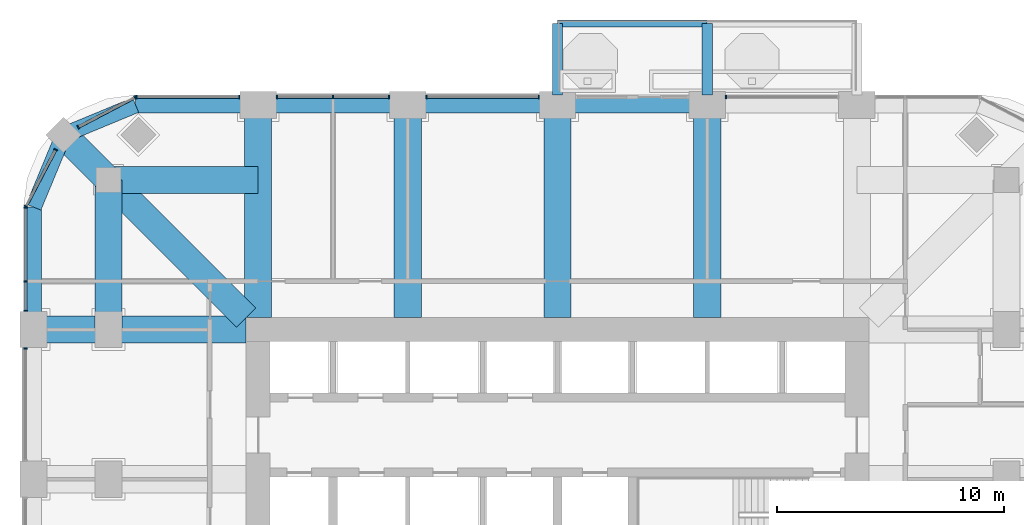
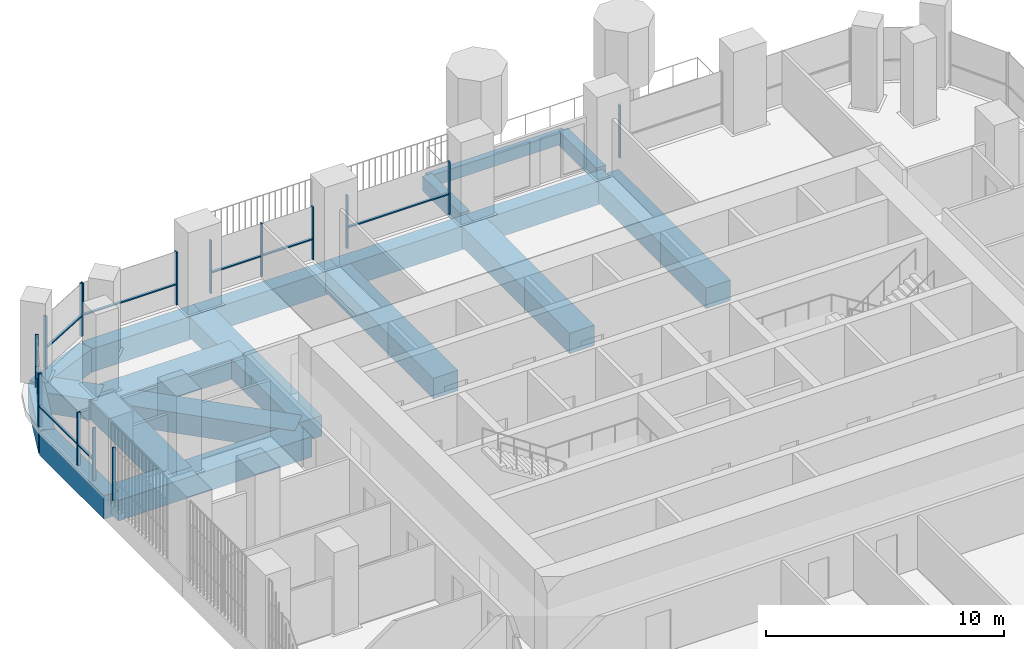
# One storey, part 6 of 19: 24 members, 19 beams, 8 elements without a shape of their own.
"""IFC4 building model written with IfcOpenShell, lengths in metres."""

from ifc_helpers import new_model, si_unit, direction, frame, origin, origin_2d, place, context, subcontext, project, spatial, rectangle, extrude, material, material_profile, profile_set, type_object, element, aggregate, save


model = new_model("IFC4")

# Units and contexts
model_context = context("Model", 3, precision=1e-05, world=origin(), true_north=direction((0.0, 1.0)))
body_context = subcontext(model_context, "Body", "Model", "MODEL_VIEW")
ifc_project = project(units=[si_unit("LENGTHUNIT", "METRE"), si_unit("AREAUNIT", "SQUARE_METRE"), si_unit("VOLUMEUNIT", "CUBIC_METRE"), si_unit("PLANEANGLEUNIT", "RADIAN"), si_unit("MASSUNIT", "GRAM", prefix="KILO")], contexts=[model_context])

# Site, building, storey
site_placement = place(None, origin())
site = spatial("IfcSite", under=ifc_project, at=site_placement, CompositionType="ELEMENT")
building_placement = place(site_placement, origin())
building = spatial("IfcBuilding", under=site, at=building_placement, Name="Cobogo Forest Laboratory Tower", CompositionType="ELEMENT")
storey_placement = place(building_placement, frame((0.0, 0.0, 197.699951171875)))
storey = spatial("IfcBuildingStorey", under=building, at=storey_placement, Name="L45", CompositionType="ELEMENT", Elevation=197.699951171875)

# Beams
ifc_material_1 = material(Name="Concrete HA-40 (C40/50)", Category="concrete")
ifc_material_profile_1 = material_profile(ifc_material_1, rectangle(XDim=0.449951171875, YDim=0.75, at=origin_2d()), Name="RC 450x750")
ifc_profile_set_1 = profile_set([ifc_material_profile_1], Name="Concrete HA-40 (C40/50)")
beam_type_1 = type_object("IfcBeamType", Name="Balcony cantilever beam 450x750", PredefinedType="BEAM", material=ifc_profile_set_1)
for number, where, z_axis, x_axis, name in (
    (1, (26.39990234375, 43.35009765625, -0.625), (0.0, 1.0, 0.0), (-1.0, 0.0, 0.0), "CB1 BAL-N1-C1 L45"),
    (2, (33.0, 43.35009765625, -0.625), (0.0, 1.0, 0.0), (-1.0, 0.0, 0.0), "CB1 BAL-N1-C2 L45"),
):
    element("IfcBeam", number, at=place(storey_placement, frame(where, z_axis=z_axis, x_axis=x_axis)), inside=storey, type_object=beam_type_1, Name=name, PredefinedType="BEAM", context=body_context, shape_type="SweptSolid", body=[
        extrude(rectangle(XDim=0.449951171875, YDim=0.75, at=origin_2d()), origin(), (0.0, 0.0, 1.0), 3.14990234375),
    ])
ifc_material_profile_2 = material_profile(ifc_material_1, rectangle(XDim=0.300048828125, YDim=0.60009765625, at=origin_2d()), Name="RC 300x600")
ifc_profile_set_2 = profile_set([ifc_material_profile_2], Name="Concrete HA-40 (C40/50)")
beam_type_2 = type_object("IfcBeamType", Name="Balcony edge beam 300x600", PredefinedType="BEAM", material=ifc_profile_set_2)
beam_1_placement = place(storey_placement, frame((26.39990234375, 46.5, -0.550048828125), z_axis=(1.0, 0.0, 0.0), x_axis=(0.0, 1.0, 0.0)))
element("IfcBeam", 3, at=beam_1_placement, inside=storey, type_object=beam_type_2, Name="BB1 BAL-N1-T1 L45", PredefinedType="BEAM", context=body_context, shape_type="SweptSolid", body=[
    extrude(rectangle(XDim=0.300048828125, YDim=0.60009765625, at=origin_2d()), origin(), (0.0, 0.0, 1.0), 6.60009765625),
])
ifc_material_profile_3 = material_profile(ifc_material_1, rectangle(XDim=1.199951171875, YDim=1.050048828125, at=origin_2d()), Name="RC 1200x1050")
ifc_profile_set_3 = profile_set([ifc_material_profile_3], Name="Concrete HA-40 (C40/50)")
beam_type_3 = type_object("IfcBeamType", Name="Laboratory floor wide beam 1200x1050", PredefinedType="BEAM", material=ifc_profile_set_3)
for number, where, z_axis, x_axis, name in (
    (4, (13.199951171875, 33.52490234375, -0.824951171875), (0.0, 1.0, 0.0), (-1.0, 0.0, 0.0), "RB1 R-3-N L45"),
    (5, (19.800048828125, 33.52490234375, -0.824951171875), (0.0, 1.0, 0.0), (-1.0, 0.0, 0.0), "RB1 R-4-N L45"),
    (6, (26.39990234375, 33.52490234375, -0.824951171875), (0.0, 1.0, 0.0), (-1.0, 0.0, 0.0), "RB1 R-5-N L45"),
    (7, (33.0, 33.52490234375, -0.824951171875), (0.0, 1.0, 0.0), (-1.0, 0.0, 0.0), "RB1 R-6-N L45"),
    (8, (12.675048828125, 33.0, -0.824951171875), (-1.0, 0.0, 0.0), (0.0, -1.0, 0.0), "RB1 R-F-W L45"),
):
    element("IfcBeam", number, at=place(storey_placement, frame(where, z_axis=z_axis, x_axis=x_axis)), inside=storey, type_object=beam_type_3, Name=name, PredefinedType="BEAM", context=body_context, shape_type="SweptSolid", body=[
        extrude(rectangle(XDim=1.199951171875, YDim=1.050048828125, at=origin_2d()), origin(), (0.0, 0.0, 1.0), 9.375),
    ])
beam_2_placement = place(storey_placement, frame((6.60009765625, 39.60009765625, -0.824951171875), z_axis=(0.0, -1.0, 0.0), x_axis=(1.0, 0.0, 0.0)))
element("IfcBeam", 9, at=beam_2_placement, inside=storey, type_object=beam_type_3, Name="RB1 G-NW-XC L45", PredefinedType="BEAM", context=body_context, shape_type="SweptSolid", body=[
    extrude(rectangle(XDim=1.199951171875, YDim=1.050048828125, at=origin_2d()), origin(), (0.0, 0.0, 1.0), 6.60009765625),
])
beam_3_placement = place(storey_placement, frame((6.60009765625, 39.60009765625, -0.824951171875), z_axis=(1.0, 0.0, 0.0), x_axis=(0.0, 1.0, 0.0)))
element("IfcBeam", 10, at=beam_3_placement, inside=storey, type_object=beam_type_3, Name="RB1 G-NW-YC L45", PredefinedType="BEAM", context=body_context, shape_type="SweptSolid", body=[
    extrude(rectangle(XDim=1.199951171875, YDim=1.050048828125, at=origin_2d()), origin(), (0.0, 0.0, 1.0), 6.599853515625),
])
beam_4_placement = place(storey_placement, frame((4.617919921875, 41.58203125, -0.824951171875), z_axis=(0.707150328948, -0.707063230743, 0.0), x_axis=(0.707063230743, 0.707150328948, 0.0)))
element("IfcBeam", 11, at=beam_4_placement, inside=storey, type_object=beam_type_3, Name="RB1 G-NW-D1 L45", PredefinedType="BEAM", context=body_context, shape_type="SweptSolid", body=[
    extrude(rectangle(XDim=1.199951171875, YDim=1.050048828125, at=origin_2d()), origin(), (0.0, 0.0, 1.0), 2.802978515625),
])
beam_5_placement = place(storey_placement, frame((6.60009765625, 39.60009765625, -0.824951171875), z_axis=(0.707092572697, -0.70712098939, 0.0), x_axis=(0.70712098939, 0.707092572697, 0.0)))
element("IfcBeam", 12, at=beam_5_placement, inside=storey, type_object=beam_type_3, Name="RB1 G-NW-D2 L45", PredefinedType="BEAM", context=body_context, shape_type="SweptSolid", body=[
    extrude(rectangle(XDim=1.199951171875, YDim=1.050048828125, at=origin_2d()), origin(), (0.0, 0.0, 1.0), 8.591552734375),
])

# Curtain wall, member
ifc_material_2 = material(Name="Aluminium curtain wall", Category="aluminium")
curtain_wall_type = type_object("IfcCurtainWallType", Name="CW-2 unitised curtain wall, solar control glazing, laboratory floors zones C and D", PredefinedType="USERDEFINED", material=ifc_material_2)
curtain_wall_1_placement = place(storey_placement, origin())
curtain_wall_1 = element("IfcCurtainWall", 13, at=curtain_wall_1_placement, inside=storey, type_object=curtain_wall_type, Name="Curtain wall 17 L45", ObjectType="UNITISED CURTAIN WALL", PredefinedType="USERDEFINED")
ifc_material_3 = material(Name="Aluminium mullion", Category="aluminium")
ifc_material_profile_4 = material_profile(ifc_material_3, rectangle(XDim=0.06005859375, YDim=0.159912109375, at=origin_2d()), Name="AL 60x160")
ifc_profile_set_4 = profile_set([ifc_material_profile_4], Name="Aluminium mullion")
member_type_1 = type_object("IfcMemberType", Name="MU-1 aluminium mullion 60x160", PredefinedType="MULLION", material=ifc_profile_set_4)
member_1_placement = place(storey_placement, frame((33.830078125, 43.25, 0.0), z_axis=(0.0, 0.0, 1.0), x_axis=(-1.0, 0.0, 0.0)))
member_1 = element("IfcMember", 14, at=member_1_placement, type_object=member_type_1, Name="CW-2 mullion 2", PredefinedType="MULLION", context=body_context, shape_type="SweptSolid", body=[
    extrude(rectangle(XDim=0.06005859375, YDim=0.159912109375, at=origin_2d()), origin(), (0.0, 0.0, 1.0), 2.699951171875),
])
aggregate(curtain_wall_1, [member_1])

# Curtain wall, members
curtain_wall_2_placement = place(storey_placement, origin())
curtain_wall_2 = element("IfcCurtainWall", 15, at=curtain_wall_2_placement, inside=storey, type_object=curtain_wall_type, Name="Curtain wall 19 L45", ObjectType="UNITISED CURTAIN WALL", PredefinedType="USERDEFINED")
member_2_placement = place(storey_placement, frame((25.570068359375, 43.25, 0.0), z_axis=(0.0, 0.0, 1.0), x_axis=(-1.0, 0.0, 0.0)))
member_2 = element("IfcMember", 16, at=member_2_placement, type_object=member_type_1, Name="CW-2 mullion 1", PredefinedType="MULLION", context=body_context, shape_type="SweptSolid", body=[
    extrude(rectangle(XDim=0.06005859375, YDim=0.159912109375, at=origin_2d()), origin(), (0.0, 0.0, 1.0), 2.699951171875),
])
member_3_placement = place(storey_placement, frame((20.6298828125, 43.25, 0.0), z_axis=(0.0, 0.0, 1.0), x_axis=(-1.0, 0.0, 0.0)))
member_3 = element("IfcMember", 17, at=member_3_placement, type_object=member_type_1, Name="CW-2 mullion 2", PredefinedType="MULLION", context=body_context, shape_type="SweptSolid", body=[
    extrude(rectangle(XDim=0.06005859375, YDim=0.159912109375, at=origin_2d()), origin(), (0.0, 0.0, 1.0), 2.699951171875),
])

curtain_wall_3_placement = place(storey_placement, origin())
curtain_wall_3 = element("IfcCurtainWall", 18, at=curtain_wall_3_placement, inside=storey, type_object=curtain_wall_type, Name="Curtain wall 20 L45", ObjectType="UNITISED CURTAIN WALL", PredefinedType="USERDEFINED")
member_4_placement = place(storey_placement, frame((18.969970703125, 43.25, 0.0), z_axis=(0.0, 0.0, 1.0), x_axis=(-1.0, 0.0, 0.0)))
member_4 = element("IfcMember", 19, at=member_4_placement, type_object=member_type_1, Name="CW-2 mullion 1", PredefinedType="MULLION", context=body_context, shape_type="SweptSolid", body=[
    extrude(rectangle(XDim=0.06005859375, YDim=0.159912109375, at=origin_2d()), origin(), (0.0, 0.0, 1.0), 2.699951171875),
])
member_5_placement = place(storey_placement, frame((16.5, 43.25, 0.0), z_axis=(0.0, 0.0, 1.0), x_axis=(-1.0, 0.0, 0.0)))
member_5 = element("IfcMember", 20, at=member_5_placement, type_object=member_type_1, Name="CW-2 mullion 2", PredefinedType="MULLION", context=body_context, shape_type="SweptSolid", body=[
    extrude(rectangle(XDim=0.06005859375, YDim=0.159912109375, at=origin_2d()), origin(), (0.0, 0.0, 1.0), 2.699951171875),
])
member_6_placement = place(storey_placement, frame((14.030029296875, 43.25, 0.0), z_axis=(0.0, 0.0, 1.0), x_axis=(-1.0, 0.0, 0.0)))
member_6 = element("IfcMember", 21, at=member_6_placement, type_object=member_type_1, Name="CW-2 mullion 3", PredefinedType="MULLION", context=body_context, shape_type="SweptSolid", body=[
    extrude(rectangle(XDim=0.06005859375, YDim=0.159912109375, at=origin_2d()), origin(), (0.0, 0.0, 1.0), 2.699951171875),
])

curtain_wall_4_placement = place(storey_placement, origin())
curtain_wall_4 = element("IfcCurtainWall", 22, at=curtain_wall_4_placement, inside=storey, type_object=curtain_wall_type, Name="Curtain wall 21 L45", ObjectType="UNITISED CURTAIN WALL", PredefinedType="USERDEFINED")
member_7_placement = place(storey_placement, frame((12.3701171875, 43.25, 0.0), z_axis=(0.0, 0.0, 1.0), x_axis=(-1.0, 0.0, 0.0)))
member_7 = element("IfcMember", 23, at=member_7_placement, type_object=member_type_1, Name="CW-2 mullion 1", PredefinedType="MULLION", context=body_context, shape_type="SweptSolid", body=[
    extrude(rectangle(XDim=0.06005859375, YDim=0.159912109375, at=origin_2d()), origin(), (0.0, 0.0, 1.0), 2.699951171875),
])
member_8_placement = place(storey_placement, frame((7.830078125, 43.25, 0.0), z_axis=(0.0, 0.0, 1.0), x_axis=(-1.0, 0.0, 0.0)))
member_8 = element("IfcMember", 24, at=member_8_placement, type_object=member_type_1, Name="CW-2 mullion 2", PredefinedType="MULLION", context=body_context, shape_type="SweptSolid", body=[
    extrude(rectangle(XDim=0.06005859375, YDim=0.159912109375, at=origin_2d()), origin(), (0.0, 0.0, 1.0), 2.699951171875),
])

curtain_wall_5_placement = place(storey_placement, origin())
curtain_wall_5 = element("IfcCurtainWall", 25, at=curtain_wall_5_placement, inside=storey, type_object=curtain_wall_type, Name="Curtain wall 22 L45", ObjectType="UNITISED CURTAIN WALL", PredefinedType="USERDEFINED")
member_9_placement = place(storey_placement, frame((7.7734375, 43.236083984375, 0.0), z_axis=(0.0, 0.0, 1.0), x_axis=(-0.885686484356, -0.464283804832, 0.0)))
member_9 = element("IfcMember", 26, at=member_9_placement, type_object=member_type_1, Name="CW-2 mullion 1", PredefinedType="MULLION", context=body_context, shape_type="SweptSolid", body=[
    extrude(rectangle(XDim=0.06005859375, YDim=0.159912109375, at=origin_2d()), origin(), (0.0, 0.0, 1.0), 2.699951171875),
])
member_10_placement = place(storey_placement, frame((5.275634765625, 41.9267578125, 0.0), z_axis=(0.0, 0.0, 1.0), x_axis=(-0.885686484356, -0.464283804832, 0.0)))
member_10 = element("IfcMember", 27, at=member_10_placement, type_object=member_type_1, Name="CW-2 mullion 2", PredefinedType="MULLION", context=body_context, shape_type="SweptSolid", body=[
    extrude(rectangle(XDim=0.06005859375, YDim=0.159912109375, at=origin_2d()), origin(), (0.0, 0.0, 1.0), 2.699951171875),
])

curtain_wall_6_placement = place(storey_placement, origin())
curtain_wall_6 = element("IfcCurtainWall", 28, at=curtain_wall_6_placement, inside=storey, type_object=curtain_wall_type, Name="Curtain wall 23 L45", ObjectType="UNITISED CURTAIN WALL", PredefinedType="USERDEFINED")
member_11_placement = place(storey_placement, frame((4.2734375, 40.924560546875, 0.0), z_axis=(0.0, 0.0, 1.0), x_axis=(-0.464283804832, -0.885686484356, 0.0)))
member_11 = element("IfcMember", 29, at=member_11_placement, type_object=member_type_1, Name="CW-2 mullion 1", PredefinedType="MULLION", context=body_context, shape_type="SweptSolid", body=[
    extrude(rectangle(XDim=0.06005859375, YDim=0.159912109375, at=origin_2d()), origin(), (0.0, 0.0, 1.0), 2.699951171875),
])
member_12_placement = place(storey_placement, frame((2.9638671875, 38.426513671875, 0.0), z_axis=(0.0, 0.0, 1.0), x_axis=(-0.464283804832, -0.885686484356, 0.0)))
member_12 = element("IfcMember", 30, at=member_12_placement, type_object=member_type_1, Name="CW-2 mullion 2", PredefinedType="MULLION", context=body_context, shape_type="SweptSolid", body=[
    extrude(rectangle(XDim=0.06005859375, YDim=0.159912109375, at=origin_2d()), origin(), (0.0, 0.0, 1.0), 2.699951171875),
])

curtain_wall_7_placement = place(storey_placement, origin())
curtain_wall_7 = element("IfcCurtainWall", 31, at=curtain_wall_7_placement, inside=storey, type_object=curtain_wall_type, Name="Curtain wall 24 L45", ObjectType="UNITISED CURTAIN WALL", PredefinedType="USERDEFINED")
member_13_placement = place(storey_placement, frame((2.949951171875, 38.3701171875, 0.0), z_axis=(0.0, 0.0, 1.0), x_axis=(0.0, -1.0, 0.0)))
member_13 = element("IfcMember", 32, at=member_13_placement, type_object=member_type_1, Name="CW-2 mullion 1", PredefinedType="MULLION", context=body_context, shape_type="SweptSolid", body=[
    extrude(rectangle(XDim=0.06005859375, YDim=0.159912109375, at=origin_2d()), origin(), (0.0, 0.0, 1.0), 2.699951171875),
])
member_14_placement = place(storey_placement, frame((2.949951171875, 35.125, 0.0), z_axis=(0.0, 0.0, 1.0), x_axis=(0.0, -1.0, 0.0)))
member_14 = element("IfcMember", 33, at=member_14_placement, type_object=member_type_1, Name="CW-2 mullion 2", PredefinedType="MULLION", context=body_context, shape_type="SweptSolid", body=[
    extrude(rectangle(XDim=0.06005859375, YDim=0.159912109375, at=origin_2d()), origin(), (0.0, 0.0, 1.0), 2.699951171875),
])
member_15_placement = place(storey_placement, frame((2.949951171875, 33.830078125, 0.0), z_axis=(0.0, 0.0, 1.0), x_axis=(0.0, -1.0, 0.0)))
member_15 = element("IfcMember", 34, at=member_15_placement, type_object=member_type_1, Name="CW-2 mullion 3", PredefinedType="MULLION", context=body_context, shape_type="SweptSolid", body=[
    extrude(rectangle(XDim=0.06005859375, YDim=0.159912109375, at=origin_2d()), origin(), (0.0, 0.0, 1.0), 2.699951171875),
])

# Curtain wall, member
curtain_wall_8_placement = place(storey_placement, origin())
curtain_wall_8 = element("IfcCurtainWall", 35, at=curtain_wall_8_placement, inside=storey, type_object=curtain_wall_type, Name="Curtain wall 25 L45", ObjectType="UNITISED CURTAIN WALL", PredefinedType="USERDEFINED")
member_16_placement = place(storey_placement, frame((2.949951171875, 32.169921875, 0.0), z_axis=(0.0, 0.0, 1.0), x_axis=(0.0, -1.0, 0.0)))
member_16 = element("IfcMember", 36, at=member_16_placement, type_object=member_type_1, Name="CW-2 mullion 1", PredefinedType="MULLION", context=body_context, shape_type="SweptSolid", body=[
    extrude(rectangle(XDim=0.06005859375, YDim=0.159912109375, at=origin_2d()), origin(), (0.0, 0.0, 1.0), 2.699951171875),
])
aggregate(curtain_wall_8, [member_16])

# Beams
ifc_material_profile_5 = material_profile(ifc_material_1, rectangle(XDim=0.699951171875, YDim=1.199951171875, at=origin_2d()), Name="RC 700x1200")
ifc_profile_set_5 = profile_set([ifc_material_profile_5], Name="Concrete HA-40 (C40/50)")
beam_type_4 = type_object("IfcBeamType", Name="Perimeter edge beam 700x1200", PredefinedType="BEAM", material=ifc_profile_set_5)
beam_6_placement = place(storey_placement, frame((13.199951171875, 42.89990234375, -0.89990234375), z_axis=(1.0, 0.0, 0.0), x_axis=(0.0, 1.0, 0.0)))
element("IfcBeam", 37, at=beam_6_placement, inside=storey, type_object=beam_type_4, Name="EB1 E-N1 L45", PredefinedType="BEAM", context=body_context, shape_type="SweptSolid", body=[
    extrude(rectangle(XDim=0.699951171875, YDim=1.199951171875, at=origin_2d()), origin(), (0.0, 0.0, 1.0), 6.60009765625),
])
beam_7_placement = place(storey_placement, frame((19.800048828125, 42.89990234375, -0.89990234375), z_axis=(1.0, 0.0, 0.0), x_axis=(0.0, 1.0, 0.0)))
element("IfcBeam", 38, at=beam_7_placement, inside=storey, type_object=beam_type_4, Name="EB1 E-N2 L45", PredefinedType="BEAM", context=body_context, shape_type="SweptSolid", body=[
    extrude(rectangle(XDim=0.699951171875, YDim=1.199951171875, at=origin_2d()), origin(), (0.0, 0.0, 1.0), 6.599853515625),
])
beam_8_placement = place(storey_placement, frame((26.39990234375, 42.89990234375, -0.89990234375), z_axis=(1.0, 0.0, 0.0), x_axis=(0.0, 1.0, 0.0)))
element("IfcBeam", 39, at=beam_8_placement, inside=storey, type_object=beam_type_4, Name="EB1 E-N3 L45", PredefinedType="BEAM", context=body_context, shape_type="SweptSolid", body=[
    extrude(rectangle(XDim=0.699951171875, YDim=1.199951171875, at=origin_2d()), origin(), (0.0, 0.0, 1.0), 6.60009765625),
])
beam_9_placement = place(storey_placement, frame((13.199951171875, 42.89990234375, -0.89990234375), z_axis=(-1.0, 0.0, 0.0), x_axis=(0.0, -1.0, 0.0)))
element("IfcBeam", 40, at=beam_9_placement, inside=storey, type_object=beam_type_4, Name="EB1 E-NWN1 L45", PredefinedType="BEAM", context=body_context, shape_type="SweptSolid", body=[
    extrude(rectangle(XDim=0.699951171875, YDim=1.199951171875, at=origin_2d()), origin(), (0.0, 0.0, 1.0), 5.39990234375),
])
beam_10_placement = place(storey_placement, frame((7.800048828125, 42.89990234375, -0.89990234375), z_axis=(-0.923901072997, -0.382631424892, 0.0), x_axis=(0.382631424892, -0.923901072997, 0.0)))
element("IfcBeam", 41, at=beam_10_placement, inside=storey, type_object=beam_type_4, Name="EB1 E-NWN2 L45", PredefinedType="BEAM", context=body_context, shape_type="SweptSolid", body=[
    extrude(rectangle(XDim=0.699951171875, YDim=1.199951171875, at=origin_2d()), origin(), (0.0, 0.0, 1.0), 3.4443359375),
])
beam_11_placement = place(storey_placement, frame((3.300048828125, 33.0, -0.89990234375), z_axis=(0.0, 1.0, 0.0), x_axis=(-1.0, 0.0, 0.0)))
element("IfcBeam", 42, at=beam_11_placement, inside=storey, type_object=beam_type_4, Name="EB1 E-NWW1 L45", PredefinedType="BEAM", context=body_context, shape_type="SweptSolid", body=[
    extrude(rectangle(XDim=0.699951171875, YDim=1.199951171875, at=origin_2d()), origin(), (0.0, 0.0, 1.0), 5.39990234375),
])
beam_12_placement = place(storey_placement, frame((3.300048828125, 38.39990234375, -0.89990234375), z_axis=(0.382631424892, 0.923901072997, 0.0), x_axis=(-0.923901072997, 0.382631424892, 0.0)))
element("IfcBeam", 43, at=beam_12_placement, inside=storey, type_object=beam_type_4, Name="EB1 E-NWW2 L45", PredefinedType="BEAM", context=body_context, shape_type="SweptSolid", body=[
    extrude(rectangle(XDim=0.699951171875, YDim=1.199951171875, at=origin_2d()), origin(), (0.0, 0.0, 1.0), 3.4443359375),
])

# Member
ifc_material_4 = material(Name="Aluminium transom", Category="aluminium")
ifc_material_profile_6 = material_profile(ifc_material_4, rectangle(XDim=0.1201171875, YDim=0.06005859375, at=origin_2d()), Name="AL 60x120")
ifc_profile_set_6 = profile_set([ifc_material_profile_6], Name="Aluminium transom")
member_type_2 = type_object("IfcMemberType", Name="TR-1 aluminium transom 60x120", PredefinedType="USERDEFINED", material=ifc_profile_set_6)
member_17_placement = place(storey_placement, frame((25.5400390625, 43.25, 1.050048828125), z_axis=(-1.0, 0.0, 0.0), x_axis=(0.0, -1.0, 0.0)))
member_17 = element("IfcMember", 44, at=member_17_placement, type_object=member_type_2, Name="CW-2 transom 1.1", ObjectType="TRANSOM", PredefinedType="USERDEFINED", context=body_context, shape_type="SweptSolid", body=[
    extrude(rectangle(XDim=0.1201171875, YDim=0.06005859375, at=origin_2d()), origin(), (0.0, 0.0, 1.0), 4.880126953125),
])

aggregate(curtain_wall_2, [member_2, member_3, member_17])

member_18_placement = place(storey_placement, frame((18.93994140625, 43.25, 1.050048828125), z_axis=(-1.0, 0.0, 0.0), x_axis=(0.0, -1.0, 0.0)))
member_18 = element("IfcMember", 45, at=member_18_placement, type_object=member_type_2, Name="CW-2 transom 1.1", ObjectType="TRANSOM", PredefinedType="USERDEFINED", context=body_context, shape_type="SweptSolid", body=[
    extrude(rectangle(XDim=0.1201171875, YDim=0.06005859375, at=origin_2d()), origin(), (0.0, 0.0, 1.0), 2.409912109375),
])

member_19_placement = place(storey_placement, frame((16.469970703125, 43.25, 1.050048828125), z_axis=(-1.0, 0.0, 0.0), x_axis=(0.0, -1.0, 0.0)))
member_19 = element("IfcMember", 46, at=member_19_placement, type_object=member_type_2, Name="CW-2 transom 2.1", ObjectType="TRANSOM", PredefinedType="USERDEFINED", context=body_context, shape_type="SweptSolid", body=[
    extrude(rectangle(XDim=0.1201171875, YDim=0.06005859375, at=origin_2d()), origin(), (0.0, 0.0, 1.0), 2.409912109375),
])

aggregate(curtain_wall_3, [member_4, member_5, member_6, member_18, member_19])

member_20_placement = place(storey_placement, frame((12.340087890625, 43.25, 1.050048828125), z_axis=(-1.0, 0.0, 0.0), x_axis=(0.0, -1.0, 0.0)))
member_20 = element("IfcMember", 47, at=member_20_placement, type_object=member_type_2, Name="CW-2 transom 1.1", ObjectType="TRANSOM", PredefinedType="USERDEFINED", context=body_context, shape_type="SweptSolid", body=[
    extrude(rectangle(XDim=0.1201171875, YDim=0.06005859375, at=origin_2d()), origin(), (0.0, 0.0, 1.0), 4.47998046875),
])

aggregate(curtain_wall_4, [member_7, member_8, member_20])

member_21_placement = place(storey_placement, frame((7.746826171875, 43.22216796875, 1.050048828125), z_axis=(-0.88570166389, -0.464254846591, 0.0), x_axis=(0.464254846591, -0.88570166389, 0.0)))
member_21 = element("IfcMember", 48, at=member_21_placement, type_object=member_type_2, Name="CW-2 transom 1.1", ObjectType="TRANSOM", PredefinedType="USERDEFINED", context=body_context, shape_type="SweptSolid", body=[
    extrude(rectangle(XDim=0.1201171875, YDim=0.06005859375, at=origin_2d()), origin(), (0.0, 0.0, 1.0), 2.76025390625),
])

aggregate(curtain_wall_5, [member_9, member_10, member_21])

member_22_placement = place(storey_placement, frame((4.259521484375, 40.89794921875, 1.050048828125), z_axis=(-0.464324225592, -0.885665294301, 0.0), x_axis=(0.885665294301, -0.464324225592, 0.0)))
member_22 = element("IfcMember", 49, at=member_22_placement, type_object=member_type_2, Name="CW-2 transom 1.1", ObjectType="TRANSOM", PredefinedType="USERDEFINED", context=body_context, shape_type="SweptSolid", body=[
    extrude(rectangle(XDim=0.1201171875, YDim=0.06005859375, at=origin_2d()), origin(), (0.0, 0.0, 1.0), 2.760498046875),
])

aggregate(curtain_wall_6, [member_11, member_12, member_22])

member_23_placement = place(storey_placement, frame((2.949951171875, 38.340087890625, 1.050048828125), z_axis=(0.0, -1.0, 0.0), x_axis=(1.0, 0.0, 0.0)))
member_23 = element("IfcMember", 50, at=member_23_placement, type_object=member_type_2, Name="CW-2 transom 1.1", ObjectType="TRANSOM", PredefinedType="USERDEFINED", context=body_context, shape_type="SweptSolid", body=[
    extrude(rectangle(XDim=0.1201171875, YDim=0.06005859375, at=origin_2d()), origin(), (0.0, 0.0, 1.0), 3.18505859375),
])

member_24_placement = place(storey_placement, frame((2.949951171875, 35.094970703125, 1.050048828125), z_axis=(0.0, -1.0, 0.0), x_axis=(1.0, 0.0, 0.0)))
member_24 = element("IfcMember", 51, at=member_24_placement, type_object=member_type_2, Name="CW-2 transom 2.1", ObjectType="TRANSOM", PredefinedType="USERDEFINED", context=body_context, shape_type="SweptSolid", body=[
    extrude(rectangle(XDim=0.1201171875, YDim=0.06005859375, at=origin_2d()), origin(), (0.0, 0.0, 1.0), 1.23486328125),
])

aggregate(curtain_wall_7, [member_13, member_14, member_15, member_23, member_24])

save(model, "model.ifc")
